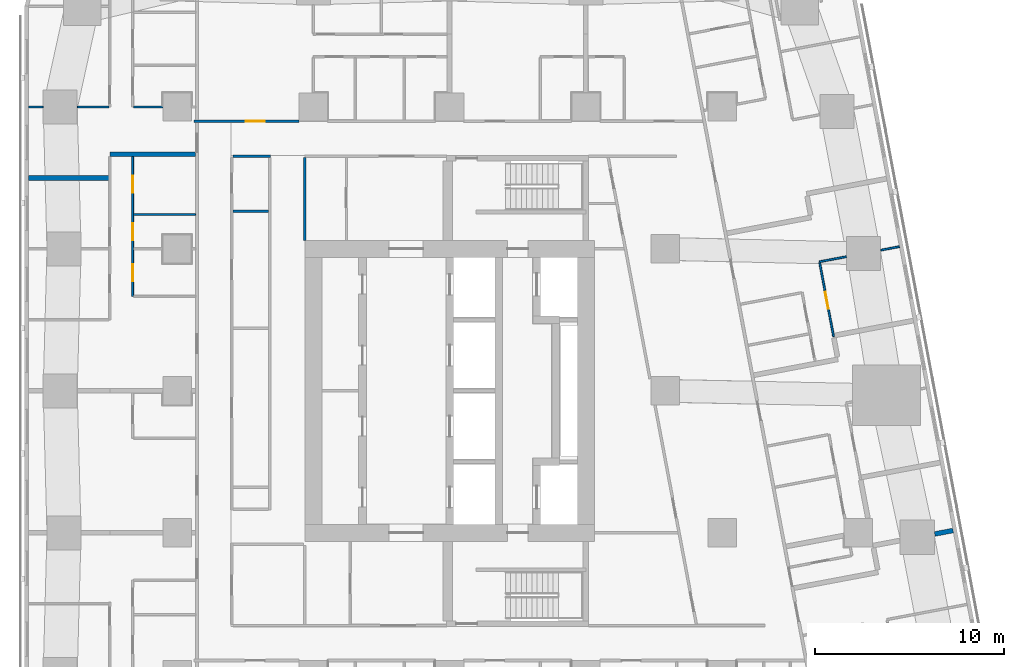
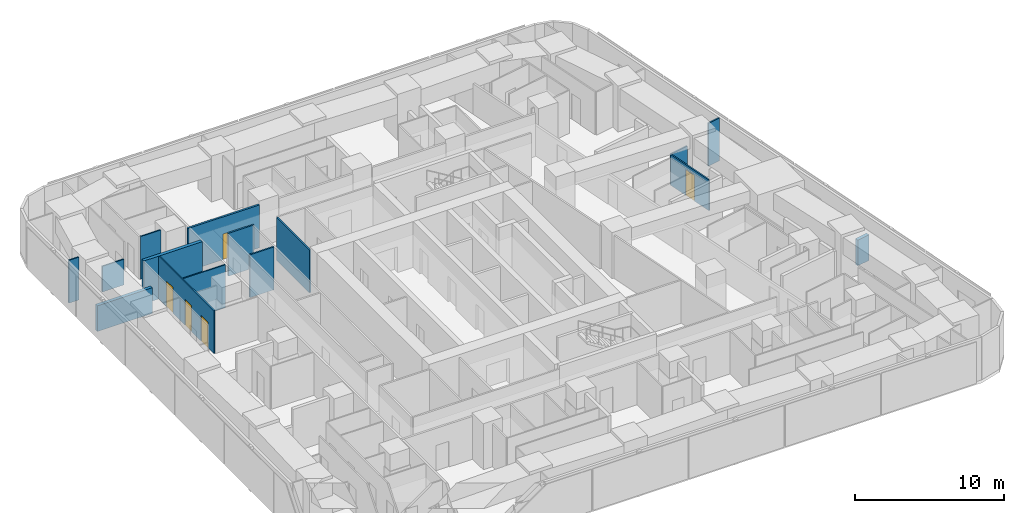
# One storey, part 8 of 15: 15 walls, 5 doors, 5 openings.
"""IFC4 building model written with IfcOpenShell, lengths in metres."""

from ifc_helpers import new_model, si_unit, direction, frame, frame_2d, origin, place, context, subcontext, project, spatial, rectangle, extrude, material, layer, layer_set, type_object, element, fill, save


model = new_model("IFC4")

# Units and contexts
model_context = context("Model", 3, precision=1e-05, world=origin(), true_north=direction((0.0, 1.0)))
body_context = subcontext(model_context, "Body", "Model", "MODEL_VIEW")
ifc_project = project(units=[si_unit("LENGTHUNIT", "METRE"), si_unit("AREAUNIT", "SQUARE_METRE"), si_unit("VOLUMEUNIT", "CUBIC_METRE"), si_unit("PLANEANGLEUNIT", "RADIAN"), si_unit("MASSUNIT", "GRAM", prefix="KILO")], contexts=[model_context])

# Site, building, storey
site_placement = place(None, origin())
site = spatial("IfcSite", under=ifc_project, at=site_placement, CompositionType="ELEMENT")
building_placement = place(site_placement, origin())
building = spatial("IfcBuilding", under=site, at=building_placement, Name="Sheger Commons Tower", CompositionType="ELEMENT")
storey_placement = place(building_placement, frame((0.0, 0.0, 169.550048828125)))
storey = spatial("IfcBuildingStorey", under=building, at=storey_placement, Name="L43", CompositionType="ELEMENT", Elevation=169.550048828125)

# Wall, opening, door
ifc_material_1 = material(Name="Hollow concrete block masonry, skimmed both sides", Category="masonry")
ifc_layer_1 = layer(ifc_material_1, 0.14990234375)
ifc_layer_set_1 = layer_set([ifc_layer_1], Name="CORRIDOR WALL 150")
wall_type_1 = type_object("IfcWallType", Name="CORRIDOR WALL 150", PredefinedType="SOLIDWALL", material=ifc_layer_set_1)
wall_1_placement = place(storey_placement, frame((8.10009765625, 36.75, 0.0), z_axis=(0.0, 0.0, 1.0), x_axis=(1.0, 0.0, 0.0)))
wall_1 = element("IfcWall", 1, at=wall_1_placement, inside=storey, type_object=wall_type_1, Name="Corridor wall L43", PredefinedType="SOLIDWALL", context=body_context, shape_type="SweptSolid", body=[
    extrude(rectangle(XDim=5.548828125, YDim=0.14990234375, at=frame_2d((2.7744140625, 0.0))), origin(), (0.0, 0.0, 1.0), 3.5),
])
opening_1_placement = place(wall_1_placement, frame((2.72509765625, 0.0, 0.0)))
opening_1 = element("IfcOpeningElement", 2, at=opening_1_placement, cuts=wall_1, Name="Opening D1", PredefinedType="OPENING", context=body_context, shape_type="SweptSolid", body=[
    extrude(rectangle(XDim=1.0, YDim=2.10009765625, at=frame_2d((0.5, 1.050048828125))), frame((0.0, 0.0849609375, 0.0), z_axis=(0.0, -1.0, 0.0), x_axis=(1.0, 0.0, 0.0)), (0.0, 0.0, 1.0), 0.169921875),
])
ifc_material_2 = material(Name="Steel door set, fire rated", Category="steel")
door_type_1 = type_object("IfcDoorType", Name="FLAT ENTRANCE DOOR 1000x2100", OperationType="NOTDEFINED", PredefinedType="DOOR", material=ifc_material_2)
door_1_placement = place(opening_1_placement, origin())
door_1 = element("IfcDoor", 3, at=door_1_placement, inside=storey, type_object=door_type_1, Name="Flat entrance door", OperationType="SINGLE_SWING_LEFT", OverallHeight=2.10009765625, OverallWidth=1.0, PredefinedType="DOOR", context=body_context, shape_type="SweptSolid", body=[
    extrude(rectangle(XDim=1.0, YDim=2.10009765625, at=frame_2d((0.5, 1.050048828125))), frame((0.0, 0.02490234375, 0.0), z_axis=(0.0, -1.0, 0.0), x_axis=(1.0, 0.0, 0.0)), (0.0, 0.0, 1.0), 0.050048828125),
])
fill(opening_1, door_1)

# Walls
ifc_material_3 = material(Name="Dense concrete block masonry, plastered both sides (separating wall between flats)", Category="masonry")
ifc_layer_2 = layer(ifc_material_3, 0.25)
ifc_layer_set_2 = layer_set([ifc_layer_2], Name="DEMISING WALL 250")
wall_type_2 = type_object("IfcWallType", Name="DEMISING WALL 250", PredefinedType="SOLIDWALL", material=ifc_layer_set_2)
wall_2_placement = place(storey_placement, frame((-0.64990234375, 33.75, 0.0), z_axis=(0.0, 0.0, 1.0), x_axis=(1.0, 0.0, 0.0)))
element("IfcWall", 4, at=wall_2_placement, inside=storey, type_object=wall_type_2, Name="Demising wall L43", PredefinedType="SOLIDWALL", context=body_context, shape_type="SweptSolid", body=[
    extrude(rectangle(XDim=4.25, YDim=0.25, at=frame_2d((2.125, 0.0))), origin(), (0.0, 0.0, 1.0), 2.099853515625),
])
wall_3_placement = place(storey_placement, frame((3.64990234375, 34.9990234375, 0.0), z_axis=(0.0, 0.0, 1.0), x_axis=(1.0, 0.0, 0.0)))
element("IfcWall", 5, at=wall_3_placement, inside=storey, type_object=wall_type_2, Name="Demising wall L43", PredefinedType="SOLIDWALL", context=body_context, shape_type="SweptSolid", body=[
    extrude(rectangle(XDim=4.525146484375, YDim=0.25, at=frame_2d((2.2626953125, 0.0))), origin(), (0.0, 0.0, 1.0), 3.5),
])
wall_4_placement = place(storey_placement, frame((48.2060546875, 15.1201171875, 0.0), z_axis=(0.0, 0.0, 1.0), x_axis=(-0.982576361834, -0.185859337043, 0.0)))
element("IfcWall", 6, at=wall_4_placement, inside=storey, type_object=wall_type_2, Name="Demising wall L43", PredefinedType="SOLIDWALL", context=body_context, shape_type="SweptSolid", body=[
    extrude(rectangle(XDim=0.985107421875, YDim=0.25, at=frame_2d((0.49267578125, 0.0))), origin(), (0.0, 0.0, 1.0), 2.099853515625),
])

# Wall, openings, doors
ifc_material_4 = material(Name="Gypsum board on steel studs", Category="steel")
ifc_layer_3 = layer(ifc_material_4, 0.10009765625)
ifc_layer_set_3 = layer_set([ifc_layer_3], Name="PARTITION 100")
wall_type_3 = type_object("IfcWallType", Name="PARTITION 100", PredefinedType="PARTITIONING", material=ifc_layer_set_3)
wall_5_placement = place(storey_placement, frame((4.85009765625, 27.4990234375, 0.0), z_axis=(0.0, 0.0, 1.0), x_axis=(0.0, 1.0, 0.0)))
wall_5 = element("IfcWall", 7, at=wall_5_placement, inside=storey, type_object=wall_type_3, Name="Partition L43", PredefinedType="PARTITIONING", context=body_context, shape_type="SweptSolid", body=[
    extrude(rectangle(XDim=7.375, YDim=0.10009765625, at=frame_2d((3.6875, 0.0))), origin(), (0.0, 0.0, 1.0), 3.5),
])
opening_2_placement = place(wall_5_placement, frame((0.800048828125, 0.0, 0.0)))
opening_2 = element("IfcOpeningElement", 8, at=opening_2_placement, cuts=wall_5, Name="Opening D2", PredefinedType="OPENING", context=body_context, shape_type="SweptSolid", body=[
    extrude(rectangle(XDim=0.89990234375, YDim=2.10009765625, at=frame_2d((0.449951171875, 1.050048828125))), frame((0.0, 0.06005859375, 0.0), z_axis=(0.0, -1.0, 0.0), x_axis=(1.0, 0.0, 0.0)), (0.0, 0.0, 1.0), 0.1201171875),
])
opening_3_placement = place(wall_5_placement, frame((2.9609375, 0.0, 0.0)))
opening_3 = element("IfcOpeningElement", 9, at=opening_3_placement, cuts=wall_5, Name="Opening D2", PredefinedType="OPENING", context=body_context, shape_type="SweptSolid", body=[
    extrude(rectangle(XDim=0.89990234375, YDim=2.10009765625, at=frame_2d((0.449951171875, 1.050048828125))), frame((0.0, 0.06005859375, 0.0), z_axis=(0.0, -1.0, 0.0), x_axis=(1.0, 0.0, 0.0)), (0.0, 0.0, 1.0), 0.1201171875),
])
opening_4_placement = place(wall_5_placement, frame((5.4609375, 0.0, 0.0)))
opening_4 = element("IfcOpeningElement", 10, at=opening_4_placement, cuts=wall_5, Name="Opening D2", PredefinedType="OPENING", context=body_context, shape_type="SweptSolid", body=[
    extrude(rectangle(XDim=0.89990234375, YDim=2.10009765625, at=frame_2d((0.449951171875, 1.050048828125))), frame((0.0, 0.06005859375, 0.0), z_axis=(0.0, -1.0, 0.0), x_axis=(1.0, 0.0, 0.0)), (0.0, 0.0, 1.0), 0.1201171875),
])
ifc_material_5 = material(Name="Timber door set", Category="wood")
door_type_2 = type_object("IfcDoorType", Name="INTERNAL DOOR 900x2100", OperationType="NOTDEFINED", PredefinedType="DOOR", material=ifc_material_5)
door_2_placement = place(opening_2_placement, origin())
door_2 = element("IfcDoor", 11, at=door_2_placement, inside=storey, type_object=door_type_2, Name="Bathroom door", OperationType="SINGLE_SWING_RIGHT", OverallHeight=2.10009765625, OverallWidth=0.89990234375, PredefinedType="DOOR", context=body_context, shape_type="SweptSolid", body=[
    extrude(rectangle(XDim=0.89990234375, YDim=2.10009765625, at=frame_2d((0.449951171875, 1.050048828125))), frame((0.0, 0.02490234375, 0.0), z_axis=(0.0, -1.0, 0.0), x_axis=(1.0, 0.0, 0.0)), (0.0, 0.0, 1.0), 0.050048828125),
])
fill(opening_2, door_2)
door_3_placement = place(opening_3_placement, origin())
door_3 = element("IfcDoor", 12, at=door_3_placement, inside=storey, type_object=door_type_2, Name="Laundry room door", OperationType="SINGLE_SWING_LEFT", OverallHeight=2.10009765625, OverallWidth=0.89990234375, PredefinedType="DOOR", context=body_context, shape_type="SweptSolid", body=[
    extrude(rectangle(XDim=0.89990234375, YDim=2.10009765625, at=frame_2d((0.449951171875, 1.050048828125))), frame((0.0, 0.02490234375, 0.0), z_axis=(0.0, -1.0, 0.0), x_axis=(1.0, 0.0, 0.0)), (0.0, 0.0, 1.0), 0.050048828125),
])
fill(opening_3, door_3)
door_4_placement = place(opening_4_placement, origin())
door_4 = element("IfcDoor", 13, at=door_4_placement, inside=storey, type_object=door_type_2, Name="Store door", OperationType="SINGLE_SWING_LEFT", OverallHeight=2.10009765625, OverallWidth=0.89990234375, PredefinedType="DOOR", context=body_context, shape_type="SweptSolid", body=[
    extrude(rectangle(XDim=0.89990234375, YDim=2.10009765625, at=frame_2d((0.449951171875, 1.050048828125))), frame((0.0, 0.02490234375, 0.0), z_axis=(0.0, -1.0, 0.0), x_axis=(1.0, 0.0, 0.0)), (0.0, 0.0, 1.0), 0.050048828125),
])
fill(opening_4, door_4)

# Walls
wall_6_placement = place(storey_placement, frame((4.89990234375, 31.820068359375, 0.0), z_axis=(0.0, 0.0, 1.0), x_axis=(1.0, 0.0, 0.0)))
element("IfcWall", 14, at=wall_6_placement, inside=storey, type_object=wall_type_3, Name="Partition L43", PredefinedType="PARTITIONING", context=body_context, shape_type="SweptSolid", body=[
    extrude(rectangle(XDim=3.275146484375, YDim=0.10009765625, at=frame_2d((1.6376953125, 0.0))), origin(), (0.0, 0.0, 1.0), 3.5),
])
wall_7_placement = place(storey_placement, frame((-0.64990234375, 37.5, 0.0), z_axis=(0.0, 0.0, 1.0), x_axis=(1.0, 0.0, 0.0)))
element("IfcWall", 15, at=wall_7_placement, inside=storey, type_object=wall_type_3, Name="Partition L43", PredefinedType="PARTITIONING", context=body_context, shape_type="SweptSolid", body=[
    extrude(rectangle(XDim=0.77392578125, YDim=0.10009765625, at=frame_2d((0.386962890625, 0.0))), origin(), (0.0, 0.0, 1.0), 3.5),
])
wall_8_placement = place(storey_placement, frame((1.926025390625, 37.5, 0.0), z_axis=(0.0, 0.0, 1.0), x_axis=(1.0, 0.0, 0.0)))
element("IfcWall", 16, at=wall_8_placement, inside=storey, type_object=wall_type_3, Name="Partition L43", PredefinedType="PARTITIONING", context=body_context, shape_type="SweptSolid", body=[
    extrude(rectangle(XDim=1.674072265625, YDim=0.10009765625, at=frame_2d((0.8369140625, 0.0))), origin(), (0.0, 0.0, 1.0), 2.099853515625),
])
wall_9_placement = place(storey_placement, frame((4.89990234375, 37.5, 0.0), z_axis=(0.0, 0.0, 1.0), x_axis=(1.0, 0.0, 0.0)))
element("IfcWall", 17, at=wall_9_placement, inside=storey, type_object=wall_type_3, Name="Partition L43", PredefinedType="PARTITIONING", context=body_context, shape_type="SweptSolid", body=[
    extrude(rectangle(XDim=1.549072265625, YDim=0.10009765625, at=frame_2d((0.7744140625, 0.0))), origin(), (0.0, 0.0, 1.0), 3.5),
])

# Wall, opening, door
wall_10_placement = place(storey_placement, frame((41.156005859375, 29.27294921875, 0.0), z_axis=(0.0, 0.0, 1.0), x_axis=(0.185662195158, -0.982613631744, 0.0)))
wall_10 = element("IfcWall", 18, at=wall_10_placement, inside=storey, type_object=wall_type_3, Name="Partition L43", PredefinedType="PARTITIONING", context=body_context, shape_type="SweptSolid", body=[
    extrude(rectangle(XDim=3.969970703125, YDim=0.10009765625, at=frame_2d((1.98486328125, 0.0))), origin(), (0.0, 0.0, 1.0), 2.5),
])
opening_5_placement = place(wall_10_placement, frame((1.5810546875, 0.0, 0.0)))
opening_5 = element("IfcOpeningElement", 19, at=opening_5_placement, cuts=wall_10, Name="Opening D2", PredefinedType="OPENING", context=body_context, shape_type="SweptSolid", body=[
    extrude(rectangle(XDim=0.89990234375, YDim=2.10009765625, at=frame_2d((0.449951171875, 1.050048828125))), frame((0.0, 0.06005859375, 0.0), z_axis=(0.0, -1.0, 0.0), x_axis=(1.0, 0.0, 0.0)), (0.0, 0.0, 1.0), 0.1201171875),
])
door_5_placement = place(opening_5_placement, origin())
door_5 = element("IfcDoor", 20, at=door_5_placement, inside=storey, type_object=door_type_2, Name="Main bedroom door", OperationType="SINGLE_SWING_RIGHT", OverallHeight=2.10009765625, OverallWidth=0.89990234375, PredefinedType="DOOR", context=body_context, shape_type="SweptSolid", body=[
    extrude(rectangle(XDim=0.89990234375, YDim=2.10009765625, at=frame_2d((0.449951171875, 1.050048828125))), frame((0.0, 0.02490234375, 0.0), z_axis=(0.0, -1.0, 0.0), x_axis=(1.0, 0.0, 0.0)), (0.0, 0.0, 1.0), 0.050048828125),
])
fill(opening_5, door_5)

# Walls
wall_11_placement = place(storey_placement, frame((45.3720703125, 30.12109375, 0.0), z_axis=(0.0, 0.0, 1.0), x_axis=(-0.982530437059, -0.186101961978, 0.0)))
element("IfcWall", 21, at=wall_11_placement, inside=storey, type_object=wall_type_3, Name="Partition L43", PredefinedType="PARTITIONING", context=body_context, shape_type="SweptSolid", body=[
    extrude(rectangle(XDim=0.999755859375, YDim=0.10009765625, at=frame_2d((0.5, 0.0))), origin(), (0.0, 0.0, 1.0), 3.5),
])
wall_12_placement = place(storey_placement, frame((42.570068359375, 29.591064453125, 0.0), z_axis=(0.0, 0.0, 1.0), x_axis=(-0.98259436979, -0.185764109712, 0.0)))
element("IfcWall", 22, at=wall_12_placement, inside=storey, type_object=wall_type_3, Name="Partition L43", PredefinedType="PARTITIONING", context=body_context, shape_type="SweptSolid", body=[
    extrude(rectangle(XDim=1.4482421875, YDim=0.10009765625, at=frame_2d((0.72412109375, 0.0))), origin(), (0.0, 0.0, 1.0), 2.5),
])
ifc_material_6 = material(Name="Gypsum board on steel studs, two layers each side, fire rated", Category="steel")
ifc_layer_4 = layer(ifc_material_6, 0.125)
ifc_layer_set_4 = layer_set([ifc_layer_4], Name="SERVICE WALL 125")
wall_type_4 = type_object("IfcWallType", Name="SERVICE WALL 125", PredefinedType="PARTITIONING", material=ifc_layer_set_4)
wall_13_placement = place(storey_placement, frame((10.162109375, 32.0, 0.0), z_axis=(0.0, 0.0, 1.0), x_axis=(1.0, 0.0, 0.0)))
element("IfcWall", 23, at=wall_13_placement, inside=storey, type_object=wall_type_4, Name="Service room wall L43", PredefinedType="PARTITIONING", context=body_context, shape_type="SweptSolid", body=[
    extrude(rectangle(XDim=1.875, YDim=0.125, at=frame_2d((0.9375, 0.0))), origin(), (0.0, 0.0, 1.0), 3.5),
])
wall_14_placement = place(storey_placement, frame((13.949951171875, 30.449951171875, 0.0), z_axis=(0.0, 0.0, 1.0), x_axis=(0.0, 1.0, 0.0)))
element("IfcWall", 24, at=wall_14_placement, inside=storey, type_object=wall_type_4, Name="Service room wall L43", PredefinedType="PARTITIONING", context=body_context, shape_type="SweptSolid", body=[
    extrude(rectangle(XDim=4.386962890625, YDim=0.125, at=frame_2d((2.193359375, 0.0))), origin(), (0.0, 0.0, 1.0), 3.5),
])
wall_15_placement = place(storey_placement, frame((10.162109375, 34.89990234375, 0.0), z_axis=(0.0, 0.0, 1.0), x_axis=(1.0, 0.0, 0.0)))
element("IfcWall", 25, at=wall_15_placement, inside=storey, type_object=wall_type_4, Name="Service room wall L43", PredefinedType="PARTITIONING", context=body_context, shape_type="SweptSolid", body=[
    extrude(rectangle(XDim=1.98779296875, YDim=0.125, at=frame_2d((0.993896484375, 0.0))), origin(), (0.0, 0.0, 1.0), 3.5),
])

save(model, "model.ifc")
